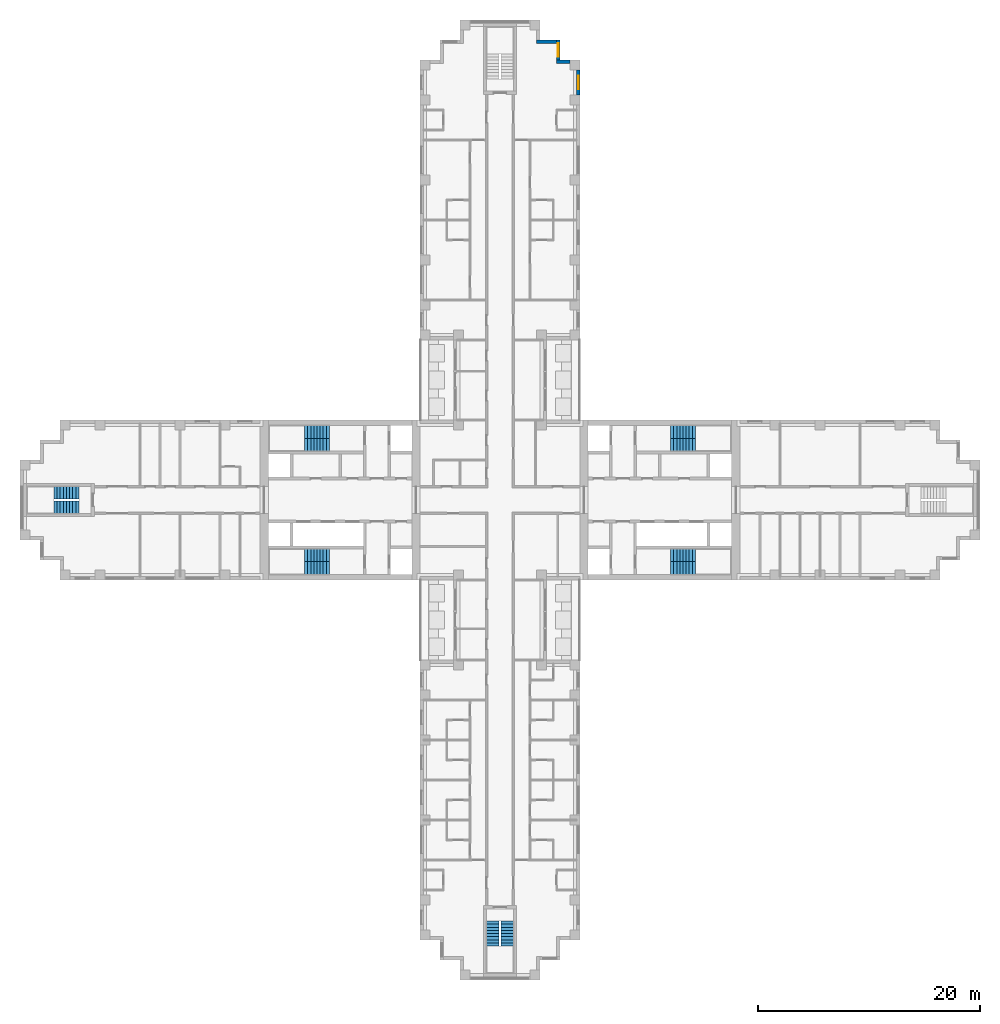
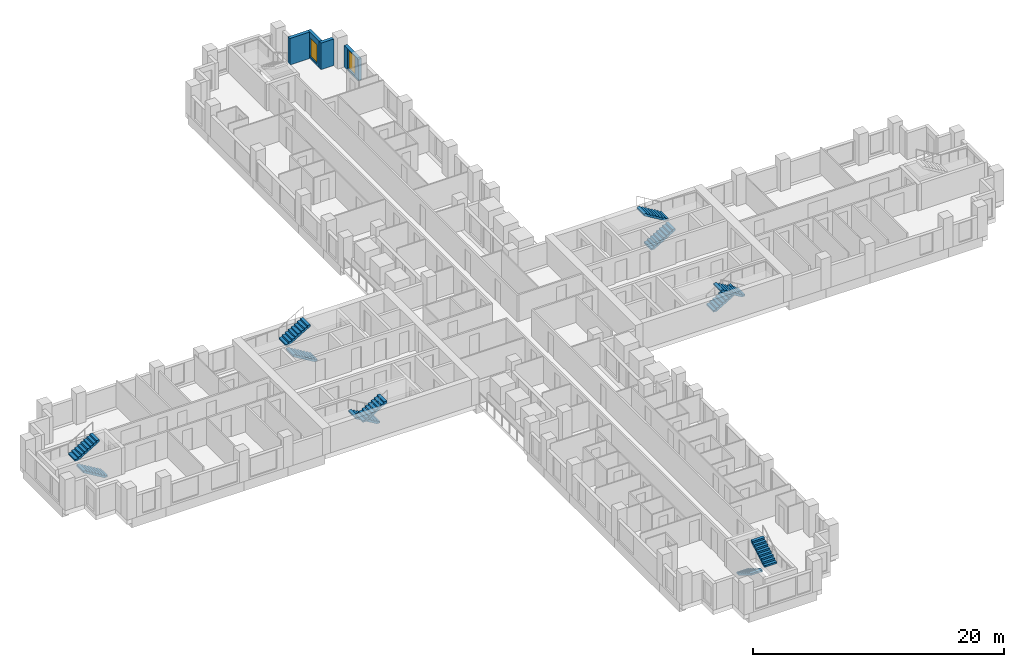
# One storey, part 13 of 16: 12 stair flights, 4 walls, 2 windows, 2 openings, 6 elements without a shape of their own.
"""IFC4 building model written with IfcOpenShell, lengths in metres."""

from ifc_helpers import new_model, si_unit, direction, frame, frame_2d, origin, place, context, subcontext, project, spatial, polyline, rectangle, outline, extrude, material, layer, layer_set, type_object, element, fill, aggregate, save


model = new_model("IFC4")

# Units and contexts
model_context = context("Model", 3, precision=1e-05, world=origin(), true_north=direction((0.0, 1.0)))
body_context = subcontext(model_context, "Body", "Model", "MODEL_VIEW")
ifc_project = project(units=[si_unit("LENGTHUNIT", "METRE"), si_unit("AREAUNIT", "SQUARE_METRE"), si_unit("VOLUMEUNIT", "CUBIC_METRE"), si_unit("PLANEANGLEUNIT", "RADIAN"), si_unit("MASSUNIT", "GRAM", prefix="KILO")], contexts=[model_context])

# Site, building, storey
site_placement = place(None, origin())
site = spatial("IfcSite", under=ifc_project, at=site_placement, CompositionType="ELEMENT")
building_placement = place(site_placement, origin())
building = spatial("IfcBuilding", under=site, at=building_placement, Name="Fustian Cross Tower", CompositionType="ELEMENT")
storey_placement = place(building_placement, frame((0.0, 0.0, 26.699951171875)))
storey = spatial("IfcBuildingStorey", under=building, at=storey_placement, Name="L07", CompositionType="ELEMENT", Elevation=26.699951171875)

# Wall, opening, window
ifc_material_1 = material(Name="Dark aluminium cladding on insulated backing wall", Category="aluminium")
ifc_layer = layer(ifc_material_1, 0.300048828125)
ifc_layer_set = layer_set([ifc_layer], Name="Dark aluminium cladding on insulated backing wall")
wall_type = type_object("IfcWallType", Name="XW1 EXTERNAL WALL 300", PredefinedType="SOLIDWALL", material=ifc_layer_set)
wall_1_placement = place(storey_placement, frame((7.050048828125, 36.449951171875, 0.0), z_axis=(0.0, 0.0, 1.0), x_axis=(0.0, 1.0, 0.0)))
wall_1 = element("IfcWall", 1, at=wall_1_placement, inside=storey, type_object=wall_type, Name="External wall", PredefinedType="SOLIDWALL", context=body_context, shape_type="SweptSolid", body=[
    extrude(rectangle(XDim=2.25, YDim=0.300048828125, at=frame_2d((1.125, 0.0))), origin(), (0.0, 0.0, 1.0), 2.10009765625),
])
opening_1_placement = place(wall_1_placement, frame((0.52490234375, 0.0, 0.199951171875)))
opening_1 = element("IfcOpeningElement", 2, at=opening_1_placement, cuts=wall_1, Name="Opening WN3", PredefinedType="OPENING", context=body_context, shape_type="SweptSolid", body=[
    extrude(rectangle(XDim=1.199951171875, YDim=1.85009765625, at=frame_2d((0.60009765625, 0.925048828125))), frame((0.0, 0.159912109375, 0.0), z_axis=(0.0, -1.0, 0.0), x_axis=(1.0, 0.0, 0.0)), (0.0, 0.0, 1.0), 0.320068359375),
])
ifc_material_2 = material(Name="Dark anodised aluminium and double glazing", Category="aluminium")
window_type = type_object("IfcWindowType", Name="WN3 WINDOW 1200X1850", PartitioningType="SINGLE_PANEL", PredefinedType="WINDOW", material=ifc_material_2)
window_1_placement = place(opening_1_placement, origin())
window_1 = element("IfcWindow", 3, at=window_1_placement, inside=storey, type_object=window_type, Name="Window", OverallHeight=1.85009765625, OverallWidth=1.199951171875, PartitioningType="SINGLE_PANEL", PredefinedType="WINDOW", context=body_context, shape_type="SweptSolid", body=[
    extrude(rectangle(XDim=1.199951171875, YDim=1.85009765625, at=frame_2d((0.60009765625, 0.925048828125))), frame((0.0, 0.030029296875, 0.0), z_axis=(0.0, -1.0, 0.0), x_axis=(1.0, 0.0, 0.0)), (0.0, 0.0, 1.0), 0.06005859375),
])
fill(opening_1, window_1)

# Wall
wall_2_placement = place(storey_placement, frame((6.300048828125, 39.449951171875, 0.0), z_axis=(0.0, 0.0, 1.0), x_axis=(-1.0, 0.0, 0.0)))
element("IfcWall", 4, at=wall_2_placement, inside=storey, type_object=wall_type, Name="External wall", PredefinedType="SOLIDWALL", context=body_context, shape_type="SweptSolid", body=[
    extrude(rectangle(XDim=1.199951171875, YDim=0.300048828125, at=frame_2d((0.60009765625, 0.0))), origin(), (0.0, 0.0, 1.0), 2.574951171875),
])

# Wall, opening, window
wall_3_placement = place(storey_placement, frame((5.25, 39.60009765625, 0.0), z_axis=(0.0, 0.0, 1.0), x_axis=(0.0, 1.0, 0.0)))
wall_3 = element("IfcWall", 5, at=wall_3_placement, inside=storey, type_object=wall_type, Name="External wall", PredefinedType="SOLIDWALL", context=body_context, shape_type="SweptSolid", body=[
    extrude(rectangle(XDim=1.7998046875, YDim=0.300048828125, at=frame_2d((0.89990234375, 0.0))), origin(), (0.0, 0.0, 1.0), 2.574951171875),
])
opening_2_placement = place(wall_3_placement, frame((0.300048828125, 0.0, 0.199951171875)))
opening_2 = element("IfcOpeningElement", 6, at=opening_2_placement, cuts=wall_3, Name="Opening WN3", PredefinedType="OPENING", context=body_context, shape_type="SweptSolid", body=[
    extrude(rectangle(XDim=1.199951171875, YDim=1.85009765625, at=frame_2d((0.60009765625, 0.925048828125))), frame((0.0, 0.159912109375, 0.0), z_axis=(0.0, -1.0, 0.0), x_axis=(1.0, 0.0, 0.0)), (0.0, 0.0, 1.0), 0.320068359375),
])
window_2_placement = place(opening_2_placement, origin())
window_2 = element("IfcWindow", 7, at=window_2_placement, inside=storey, type_object=window_type, Name="Window", OverallHeight=1.85009765625, OverallWidth=1.199951171875, PartitioningType="SINGLE_PANEL", PredefinedType="WINDOW", context=body_context, shape_type="SweptSolid", body=[
    extrude(rectangle(XDim=1.199951171875, YDim=1.85009765625, at=frame_2d((0.60009765625, 0.925048828125))), frame((0.0, 0.030029296875, 0.0), z_axis=(0.0, -1.0, 0.0), x_axis=(1.0, 0.0, 0.0)), (0.0, 0.0, 1.0), 0.06005859375),
])
fill(opening_2, window_2)

# Wall
wall_4_placement = place(storey_placement, frame((5.10009765625, 41.25, 0.0), z_axis=(0.0, 0.0, 1.0), x_axis=(-1.0, 0.0, 0.0)))
element("IfcWall", 8, at=wall_4_placement, inside=storey, type_object=wall_type, Name="External wall", PredefinedType="SOLIDWALL", context=body_context, shape_type="SweptSolid", body=[
    extrude(rectangle(XDim=1.800048828125, YDim=0.300048828125, at=frame_2d((0.89990234375, 0.0))), origin(), (0.0, 0.0, 1.0), 2.574951171875),
])

# Stair, stair flights
ifc_material_3 = material(Name="Concrete C50/60", Category="concrete")
stair_type_1 = type_object("IfcStairType", Name="STAIR 1100 HALF TURN", PredefinedType="HALF_TURN_STAIR", material=ifc_material_3)
stair_1_placement = place(storey_placement, origin())
stair_1 = element("IfcStair", 9, at=stair_1_placement, inside=storey, type_object=stair_type_1, Name="Stair ST6", PredefinedType="HALF_TURN_STAIR")
ifc_material_4 = material(Name="Concrete C50/60", Category="concrete")
stair_flight_type_1 = type_object("IfcStairFlightType", Name="STAIR FLIGHT 1100", PredefinedType="STRAIGHT", material=ifc_material_4)
stair_flight_1_placement = place(storey_placement, frame((-0.64990234375, -37.89990234375, 0.0), z_axis=(0.0, 0.0, 1.0), x_axis=(0.0, -1.0, 0.0)))
stair_flight_1 = element("IfcStairFlight", 10, at=stair_flight_1_placement, type_object=stair_flight_type_1, Name="ST6 flight 1", NumberOfRisers=9, NumberOfTreads=8, PredefinedType="STRAIGHT", RiserHeight=0.166666667, TreadLength=0.28, context=body_context, shape_type="SweptSolid", body=[
    extrude(outline(polyline([(0.0, 0.0), (0.0, 0.166748046875), (0.280029296875, 0.166748046875), (0.280029296875, 0.333251953125), (0.56005859375, 0.333251953125), (0.56005859375, 0.5), (0.840087890625, 0.5), (0.840087890625, 0.666748046875), (1.1201171875, 0.666748046875), (1.1201171875, 0.833251953125), (1.39990234375, 0.833251953125), (1.39990234375, 1.0), (1.679931640625, 1.0), (1.679931640625, 1.166748046875), (1.9599609375, 1.166748046875), (1.9599609375, 1.333251953125), (2.239990234375, 1.333251953125), (2.239990234375, 1.5), (2.239990234375, 1.158935546875), (0.29296875, 0.0), (0.0, 0.0)])), frame((0.0, 0.550048828125, 0.0), z_axis=(0.0, -1.0, 0.0), x_axis=(1.0, 0.0, 0.0)), (0.0, 0.0, 1.0), 1.10009765625),
])
stair_flight_2_placement = place(storey_placement, frame((0.64990234375, -40.139892578125, 1.5), z_axis=(0.0, 0.0, 1.0), x_axis=(0.0, 1.0, 0.0)))
stair_flight_2 = element("IfcStairFlight", 11, at=stair_flight_2_placement, type_object=stair_flight_type_1, Name="ST6 flight 2", NumberOfRisers=9, NumberOfTreads=8, PredefinedType="STRAIGHT", RiserHeight=0.166666667, TreadLength=0.28, context=body_context, shape_type="SweptSolid", body=[
    extrude(outline(polyline([(0.0, 0.0), (0.0, 0.166748046875), (0.280029296875, 0.166748046875), (0.280029296875, 0.333251953125), (0.56005859375, 0.333251953125), (0.56005859375, 0.5), (0.840087890625, 0.5), (0.840087890625, 0.666748046875), (1.1201171875, 0.666748046875), (1.1201171875, 0.833251953125), (1.39990234375, 0.833251953125), (1.39990234375, 1.0), (1.679931640625, 1.0), (1.679931640625, 1.166748046875), (1.9599609375, 1.166748046875), (1.9599609375, 1.333251953125), (2.239990234375, 1.333251953125), (2.239990234375, 1.5), (2.239990234375, 1.158935546875), (0.29296875, 0.0), (0.0, 0.0)])), frame((0.0, 0.550048828125, 0.0), z_axis=(0.0, -1.0, 0.0), x_axis=(1.0, 0.0, 0.0)), (0.0, 0.0, 1.0), 1.10009765625),
])
aggregate(stair_1, [stair_flight_1, stair_flight_2])

stair_2_placement = place(storey_placement, origin())
stair_2 = element("IfcStair", 12, at=stair_2_placement, inside=storey, type_object=stair_type_1, Name="Stair ST9", PredefinedType="HALF_TURN_STAIR")
stair_flight_3_placement = place(storey_placement, frame((-37.89990234375, -0.64990234375, 0.0), z_axis=(0.0, 0.0, 1.0), x_axis=(-1.0, 0.0, 0.0)))
stair_flight_3 = element("IfcStairFlight", 13, at=stair_flight_3_placement, type_object=stair_flight_type_1, Name="ST9 flight 1", NumberOfRisers=9, NumberOfTreads=8, PredefinedType="STRAIGHT", RiserHeight=0.166666667, TreadLength=0.28, context=body_context, shape_type="SweptSolid", body=[
    extrude(outline(polyline([(0.0, 0.0), (0.0, 0.166748046875), (0.280029296875, 0.166748046875), (0.280029296875, 0.333251953125), (0.56005859375, 0.333251953125), (0.56005859375, 0.5), (0.840087890625, 0.5), (0.840087890625, 0.666748046875), (1.1201171875, 0.666748046875), (1.1201171875, 0.833251953125), (1.39990234375, 0.833251953125), (1.39990234375, 1.0), (1.679931640625, 1.0), (1.679931640625, 1.166748046875), (1.9599609375, 1.166748046875), (1.9599609375, 1.333251953125), (2.239990234375, 1.333251953125), (2.239990234375, 1.5), (2.239990234375, 1.158935546875), (0.29296875, 0.0), (0.0, 0.0)])), frame((0.0, 0.550048828125, 0.0), z_axis=(0.0, -1.0, 0.0), x_axis=(1.0, 0.0, 0.0)), (0.0, 0.0, 1.0), 1.10009765625),
])
stair_flight_4_placement = place(storey_placement, frame((-40.139892578125, 0.64990234375, 1.5), z_axis=(0.0, 0.0, 1.0), x_axis=(1.0, 0.0, 0.0)))
stair_flight_4 = element("IfcStairFlight", 14, at=stair_flight_4_placement, type_object=stair_flight_type_1, Name="ST9 flight 2", NumberOfRisers=9, NumberOfTreads=8, PredefinedType="STRAIGHT", RiserHeight=0.166666667, TreadLength=0.28, context=body_context, shape_type="SweptSolid", body=[
    extrude(outline(polyline([(0.0, 0.0), (0.0, 0.166748046875), (0.280029296875, 0.166748046875), (0.280029296875, 0.333251953125), (0.56005859375, 0.333251953125), (0.56005859375, 0.5), (0.840087890625, 0.5), (0.840087890625, 0.666748046875), (1.1201171875, 0.666748046875), (1.1201171875, 0.833251953125), (1.39990234375, 0.833251953125), (1.39990234375, 1.0), (1.679931640625, 1.0), (1.679931640625, 1.166748046875), (1.9599609375, 1.166748046875), (1.9599609375, 1.333251953125), (2.239990234375, 1.333251953125), (2.239990234375, 1.5), (2.239990234375, 1.158935546875), (0.29296875, 0.0), (0.0, 0.0)])), frame((0.0, 0.550048828125, 0.0), z_axis=(0.0, -1.0, 0.0), x_axis=(1.0, 0.0, 0.0)), (0.0, 0.0, 1.0), 1.10009765625),
])
aggregate(stair_2, [stair_flight_3, stair_flight_4])

ifc_material_5 = material(Name="Concrete C50/60", Category="concrete")
stair_type_2 = type_object("IfcStairType", Name="STAIR 1150 HALF TURN", PredefinedType="HALF_TURN_STAIR", material=ifc_material_5)
stair_3_placement = place(storey_placement, origin())
stair_3 = element("IfcStair", 15, at=stair_3_placement, inside=storey, type_object=stair_type_2, Name="Stair ST1", PredefinedType="HALF_TURN_STAIR")
ifc_material_6 = material(Name="Concrete C50/60", Category="concrete")
stair_flight_type_2 = type_object("IfcStairFlightType", Name="STAIR FLIGHT 1150", PredefinedType="STRAIGHT", material=ifc_material_6)
stair_flight_5_placement = place(storey_placement, frame((15.35009765625, 4.97509765625, 0.0), z_axis=(0.0, 0.0, 1.0), x_axis=(1.0, 0.0, 0.0)))
stair_flight_5 = element("IfcStairFlight", 16, at=stair_flight_5_placement, type_object=stair_flight_type_2, Name="ST1 flight 1", NumberOfRisers=9, NumberOfTreads=8, PredefinedType="STRAIGHT", RiserHeight=0.166666667, TreadLength=0.28, context=body_context, shape_type="SweptSolid", body=[
    extrude(outline(polyline([(0.0, 0.0), (0.0, 0.166748046875), (0.280029296875, 0.166748046875), (0.280029296875, 0.333251953125), (0.56005859375, 0.333251953125), (0.56005859375, 0.5), (0.840087890625, 0.5), (0.840087890625, 0.666748046875), (1.1201171875, 0.666748046875), (1.1201171875, 0.833251953125), (1.39990234375, 0.833251953125), (1.39990234375, 1.0), (1.679931640625, 1.0), (1.679931640625, 1.166748046875), (1.9599609375, 1.166748046875), (1.9599609375, 1.333251953125), (2.239990234375, 1.333251953125), (2.239990234375, 1.5), (2.239990234375, 1.158935546875), (0.29296875, 0.0), (0.0, 0.0)])), frame((0.0, 0.574951171875, 0.0), z_axis=(0.0, -1.0, 0.0), x_axis=(1.0, 0.0, 0.0)), (0.0, 0.0, 1.0), 1.14990234375),
])
stair_flight_6_placement = place(storey_placement, frame((17.590087890625, 6.125, 1.5), z_axis=(0.0, 0.0, 1.0), x_axis=(-1.0, 0.0, 0.0)))
stair_flight_6 = element("IfcStairFlight", 17, at=stair_flight_6_placement, type_object=stair_flight_type_2, Name="ST1 flight 2", NumberOfRisers=9, NumberOfTreads=8, PredefinedType="STRAIGHT", RiserHeight=0.166666667, TreadLength=0.28, context=body_context, shape_type="SweptSolid", body=[
    extrude(outline(polyline([(0.0, 0.0), (0.0, 0.166748046875), (0.280029296875, 0.166748046875), (0.280029296875, 0.333251953125), (0.56005859375, 0.333251953125), (0.56005859375, 0.5), (0.840087890625, 0.5), (0.840087890625, 0.666748046875), (1.1201171875, 0.666748046875), (1.1201171875, 0.833251953125), (1.39990234375, 0.833251953125), (1.39990234375, 1.0), (1.679931640625, 1.0), (1.679931640625, 1.166748046875), (1.9599609375, 1.166748046875), (1.9599609375, 1.333251953125), (2.239990234375, 1.333251953125), (2.239990234375, 1.5), (2.239990234375, 1.158935546875), (0.29296875, 0.0), (0.0, 0.0)])), frame((0.0, 0.574951171875, 0.0), z_axis=(0.0, -1.0, 0.0), x_axis=(1.0, 0.0, 0.0)), (0.0, 0.0, 1.0), 1.14990234375),
])
aggregate(stair_3, [stair_flight_5, stair_flight_6])

stair_4_placement = place(storey_placement, origin())
stair_4 = element("IfcStair", 18, at=stair_4_placement, inside=storey, type_object=stair_type_2, Name="Stair ST2", PredefinedType="HALF_TURN_STAIR")
stair_flight_7_placement = place(storey_placement, frame((15.35009765625, -4.97509765625, 0.0), z_axis=(0.0, 0.0, 1.0), x_axis=(1.0, 0.0, 0.0)))
stair_flight_7 = element("IfcStairFlight", 19, at=stair_flight_7_placement, type_object=stair_flight_type_2, Name="ST2 flight 1", NumberOfRisers=9, NumberOfTreads=8, PredefinedType="STRAIGHT", RiserHeight=0.166666667, TreadLength=0.28, context=body_context, shape_type="SweptSolid", body=[
    extrude(outline(polyline([(0.0, 0.0), (0.0, 0.166748046875), (0.280029296875, 0.166748046875), (0.280029296875, 0.333251953125), (0.56005859375, 0.333251953125), (0.56005859375, 0.5), (0.840087890625, 0.5), (0.840087890625, 0.666748046875), (1.1201171875, 0.666748046875), (1.1201171875, 0.833251953125), (1.39990234375, 0.833251953125), (1.39990234375, 1.0), (1.679931640625, 1.0), (1.679931640625, 1.166748046875), (1.9599609375, 1.166748046875), (1.9599609375, 1.333251953125), (2.239990234375, 1.333251953125), (2.239990234375, 1.5), (2.239990234375, 1.158935546875), (0.29296875, 0.0), (0.0, 0.0)])), frame((0.0, 0.574951171875, 0.0), z_axis=(0.0, -1.0, 0.0), x_axis=(1.0, 0.0, 0.0)), (0.0, 0.0, 1.0), 1.14990234375),
])
stair_flight_8_placement = place(storey_placement, frame((17.590087890625, -6.125, 1.5), z_axis=(0.0, 0.0, 1.0), x_axis=(-1.0, 0.0, 0.0)))
stair_flight_8 = element("IfcStairFlight", 20, at=stair_flight_8_placement, type_object=stair_flight_type_2, Name="ST2 flight 2", NumberOfRisers=9, NumberOfTreads=8, PredefinedType="STRAIGHT", RiserHeight=0.166666667, TreadLength=0.28, context=body_context, shape_type="SweptSolid", body=[
    extrude(outline(polyline([(0.0, 0.0), (0.0, 0.166748046875), (0.280029296875, 0.166748046875), (0.280029296875, 0.333251953125), (0.56005859375, 0.333251953125), (0.56005859375, 0.5), (0.840087890625, 0.5), (0.840087890625, 0.666748046875), (1.1201171875, 0.666748046875), (1.1201171875, 0.833251953125), (1.39990234375, 0.833251953125), (1.39990234375, 1.0), (1.679931640625, 1.0), (1.679931640625, 1.166748046875), (1.9599609375, 1.166748046875), (1.9599609375, 1.333251953125), (2.239990234375, 1.333251953125), (2.239990234375, 1.5), (2.239990234375, 1.158935546875), (0.29296875, 0.0), (0.0, 0.0)])), frame((0.0, 0.574951171875, 0.0), z_axis=(0.0, -1.0, 0.0), x_axis=(1.0, 0.0, 0.0)), (0.0, 0.0, 1.0), 1.14990234375),
])
aggregate(stair_4, [stair_flight_7, stair_flight_8])

stair_5_placement = place(storey_placement, origin())
stair_5 = element("IfcStair", 21, at=stair_5_placement, inside=storey, type_object=stair_type_2, Name="Stair ST3", PredefinedType="HALF_TURN_STAIR")
stair_flight_9_placement = place(storey_placement, frame((-15.35009765625, 4.97509765625, 0.0), z_axis=(0.0, 0.0, 1.0), x_axis=(-1.0, 0.0, 0.0)))
stair_flight_9 = element("IfcStairFlight", 22, at=stair_flight_9_placement, type_object=stair_flight_type_2, Name="ST3 flight 1", NumberOfRisers=9, NumberOfTreads=8, PredefinedType="STRAIGHT", RiserHeight=0.166666667, TreadLength=0.28, context=body_context, shape_type="SweptSolid", body=[
    extrude(outline(polyline([(0.0, 0.0), (0.0, 0.166748046875), (0.280029296875, 0.166748046875), (0.280029296875, 0.333251953125), (0.56005859375, 0.333251953125), (0.56005859375, 0.5), (0.840087890625, 0.5), (0.840087890625, 0.666748046875), (1.1201171875, 0.666748046875), (1.1201171875, 0.833251953125), (1.39990234375, 0.833251953125), (1.39990234375, 1.0), (1.679931640625, 1.0), (1.679931640625, 1.166748046875), (1.9599609375, 1.166748046875), (1.9599609375, 1.333251953125), (2.239990234375, 1.333251953125), (2.239990234375, 1.5), (2.239990234375, 1.158935546875), (0.29296875, 0.0), (0.0, 0.0)])), frame((0.0, 0.574951171875, 0.0), z_axis=(0.0, -1.0, 0.0), x_axis=(1.0, 0.0, 0.0)), (0.0, 0.0, 1.0), 1.14990234375),
])
stair_flight_10_placement = place(storey_placement, frame((-17.590087890625, 6.125, 1.5), z_axis=(0.0, 0.0, 1.0), x_axis=(1.0, 0.0, 0.0)))
stair_flight_10 = element("IfcStairFlight", 23, at=stair_flight_10_placement, type_object=stair_flight_type_2, Name="ST3 flight 2", NumberOfRisers=9, NumberOfTreads=8, PredefinedType="STRAIGHT", RiserHeight=0.166666667, TreadLength=0.28, context=body_context, shape_type="SweptSolid", body=[
    extrude(outline(polyline([(0.0, 0.0), (0.0, 0.166748046875), (0.280029296875, 0.166748046875), (0.280029296875, 0.333251953125), (0.56005859375, 0.333251953125), (0.56005859375, 0.5), (0.840087890625, 0.5), (0.840087890625, 0.666748046875), (1.1201171875, 0.666748046875), (1.1201171875, 0.833251953125), (1.39990234375, 0.833251953125), (1.39990234375, 1.0), (1.679931640625, 1.0), (1.679931640625, 1.166748046875), (1.9599609375, 1.166748046875), (1.9599609375, 1.333251953125), (2.239990234375, 1.333251953125), (2.239990234375, 1.5), (2.239990234375, 1.158935546875), (0.29296875, 0.0), (0.0, 0.0)])), frame((0.0, 0.574951171875, 0.0), z_axis=(0.0, -1.0, 0.0), x_axis=(1.0, 0.0, 0.0)), (0.0, 0.0, 1.0), 1.14990234375),
])
aggregate(stair_5, [stair_flight_9, stair_flight_10])

stair_6_placement = place(storey_placement, origin())
stair_6 = element("IfcStair", 24, at=stair_6_placement, inside=storey, type_object=stair_type_2, Name="Stair ST4", PredefinedType="HALF_TURN_STAIR")
stair_flight_11_placement = place(storey_placement, frame((-15.35009765625, -4.97509765625, 0.0), z_axis=(0.0, 0.0, 1.0), x_axis=(-1.0, 0.0, 0.0)))
stair_flight_11 = element("IfcStairFlight", 25, at=stair_flight_11_placement, type_object=stair_flight_type_2, Name="ST4 flight 1", NumberOfRisers=9, NumberOfTreads=8, PredefinedType="STRAIGHT", RiserHeight=0.166666667, TreadLength=0.28, context=body_context, shape_type="SweptSolid", body=[
    extrude(outline(polyline([(0.0, 0.0), (0.0, 0.166748046875), (0.280029296875, 0.166748046875), (0.280029296875, 0.333251953125), (0.56005859375, 0.333251953125), (0.56005859375, 0.5), (0.840087890625, 0.5), (0.840087890625, 0.666748046875), (1.1201171875, 0.666748046875), (1.1201171875, 0.833251953125), (1.39990234375, 0.833251953125), (1.39990234375, 1.0), (1.679931640625, 1.0), (1.679931640625, 1.166748046875), (1.9599609375, 1.166748046875), (1.9599609375, 1.333251953125), (2.239990234375, 1.333251953125), (2.239990234375, 1.5), (2.239990234375, 1.158935546875), (0.29296875, 0.0), (0.0, 0.0)])), frame((0.0, 0.574951171875, 0.0), z_axis=(0.0, -1.0, 0.0), x_axis=(1.0, 0.0, 0.0)), (0.0, 0.0, 1.0), 1.14990234375),
])
stair_flight_12_placement = place(storey_placement, frame((-17.590087890625, -6.125, 1.5), z_axis=(0.0, 0.0, 1.0), x_axis=(1.0, 0.0, 0.0)))
stair_flight_12 = element("IfcStairFlight", 26, at=stair_flight_12_placement, type_object=stair_flight_type_2, Name="ST4 flight 2", NumberOfRisers=9, NumberOfTreads=8, PredefinedType="STRAIGHT", RiserHeight=0.166666667, TreadLength=0.28, context=body_context, shape_type="SweptSolid", body=[
    extrude(outline(polyline([(0.0, 0.0), (0.0, 0.166748046875), (0.280029296875, 0.166748046875), (0.280029296875, 0.333251953125), (0.56005859375, 0.333251953125), (0.56005859375, 0.5), (0.840087890625, 0.5), (0.840087890625, 0.666748046875), (1.1201171875, 0.666748046875), (1.1201171875, 0.833251953125), (1.39990234375, 0.833251953125), (1.39990234375, 1.0), (1.679931640625, 1.0), (1.679931640625, 1.166748046875), (1.9599609375, 1.166748046875), (1.9599609375, 1.333251953125), (2.239990234375, 1.333251953125), (2.239990234375, 1.5), (2.239990234375, 1.158935546875), (0.29296875, 0.0), (0.0, 0.0)])), frame((0.0, 0.574951171875, 0.0), z_axis=(0.0, -1.0, 0.0), x_axis=(1.0, 0.0, 0.0)), (0.0, 0.0, 1.0), 1.14990234375),
])
aggregate(stair_6, [stair_flight_11, stair_flight_12])

save(model, "model.ifc")
